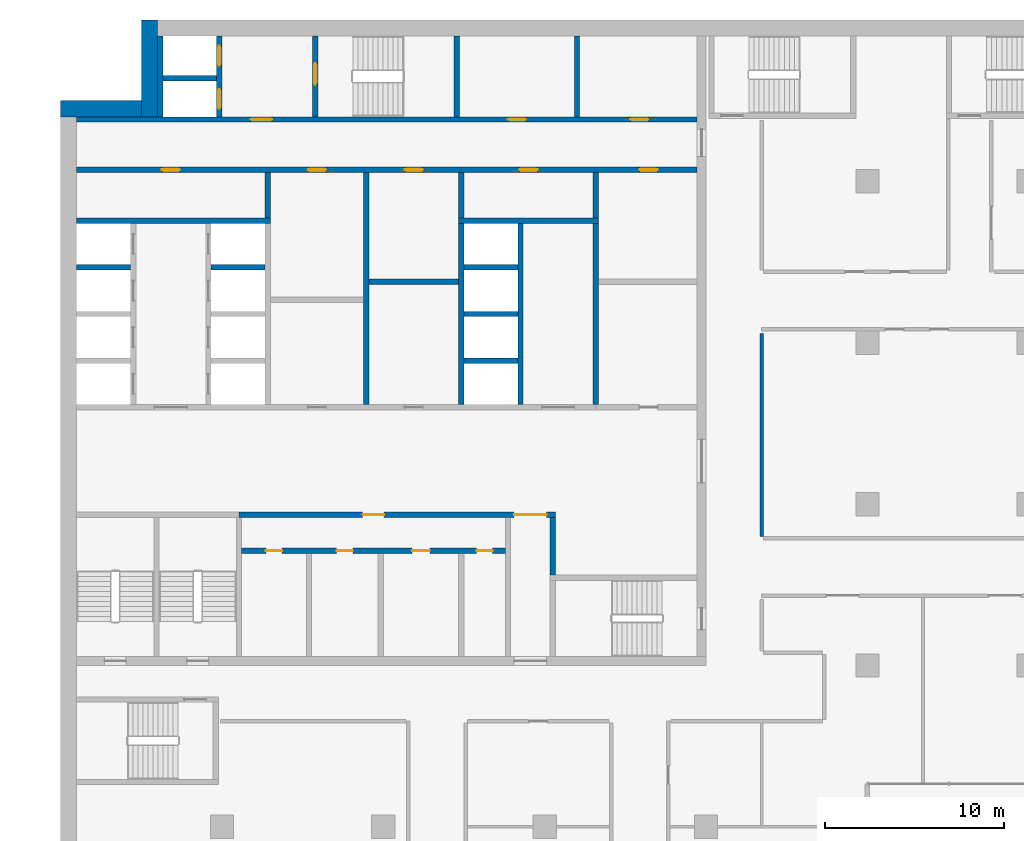
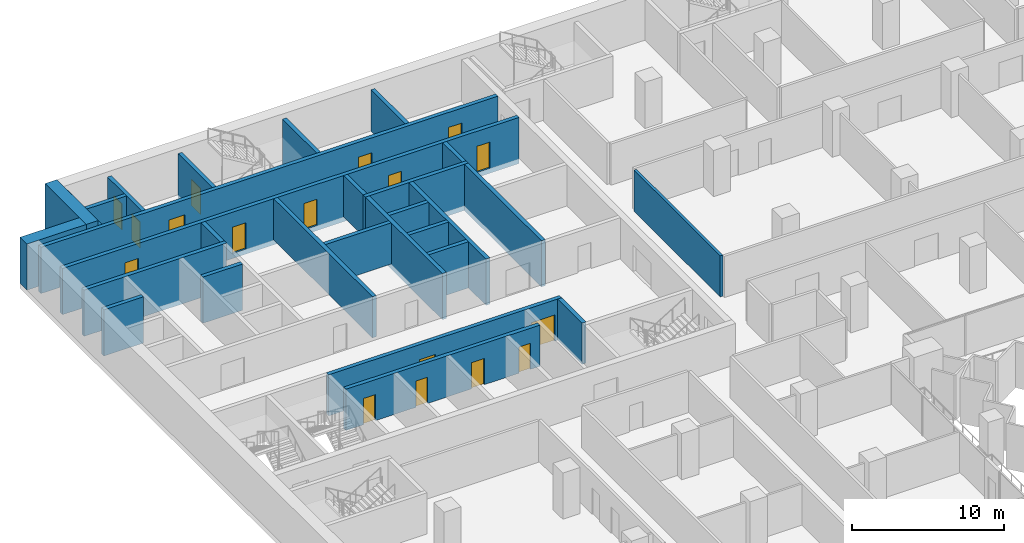
# One storey, part 13 of 22: 29 walls, 17 doors, 17 openings.
"""IFC4 building model written with IfcOpenShell, lengths in metres."""

from ifc_helpers import new_model, si_unit, direction, frame, frame_2d, origin, place, context, subcontext, project, spatial, rectangle, extrude, material, layer, layer_set, type_object, element, fill, save


model = new_model("IFC4")

# Units and contexts
model_context = context("Model", 3, precision=1e-05, world=origin(), true_north=direction((0.0, 1.0)))
body_context = subcontext(model_context, "Body", "Model", "MODEL_VIEW")
ifc_project = project(units=[si_unit("LENGTHUNIT", "METRE"), si_unit("AREAUNIT", "SQUARE_METRE"), si_unit("VOLUMEUNIT", "CUBIC_METRE"), si_unit("PLANEANGLEUNIT", "RADIAN"), si_unit("MASSUNIT", "GRAM", prefix="KILO")], contexts=[model_context])

# Site, building, storey
site_placement = place(None, origin())
site = spatial("IfcSite", under=ifc_project, at=site_placement, CompositionType="ELEMENT")
building_placement = place(site_placement, origin())
building = spatial("IfcBuilding", under=site, at=building_placement, Name="Hunhe Ridgeline Campus", CompositionType="ELEMENT")
storey_placement = place(building_placement, frame((0.0, 0.0, 84.800048828125)))
storey = spatial("IfcBuildingStorey", under=building, at=storey_placement, Name="L20", CompositionType="ELEMENT", Elevation=84.800048828125)

# Wall, openings, doors
ifc_material_1 = material(Name="Masonry concrete blockwork", Category="masonry")
ifc_layer_1 = layer(ifc_material_1, 0.300048828125)
ifc_layer_set_1 = layer_set([ifc_layer_1], Name="Core room partition 300 concrete block")
wall_type_1 = type_object("IfcWallType", Name="Core room partition 300 concrete block", PredefinedType="PARTITIONING", material=ifc_layer_set_1)
wall_1_placement = place(storey_placement, frame((10.10009765625, 69.39990234375, 0.0), z_axis=(0.0, 0.0, 1.0), x_axis=(1.0, 0.0, 0.0)))
wall_1 = element("IfcWall", 1, at=wall_1_placement, inside=storey, type_object=wall_type_1, Name="L20 core partition 9", PredefinedType="PARTITIONING", context=body_context, shape_type="SweptSolid", body=[
    extrude(rectangle(XDim=14.699951171875, YDim=0.300048828125, at=frame_2d((7.35009765625, 0.0))), origin(), (0.0, 0.0, 1.0), 3.300048828125),
])
opening_1_placement = place(wall_1_placement, frame((1.35009765625, 0.0, 0.0)))
opening_1 = element("IfcOpeningElement", 2, at=opening_1_placement, cuts=wall_1, Name="Opening CD8", PredefinedType="OPENING", context=body_context, shape_type="SweptSolid", body=[
    extrude(rectangle(XDim=0.89990234375, YDim=2.10009765625, at=frame_2d((0.449951171875, 1.050048828125))), frame((0.0, 0.14990234375, 0.0), z_axis=(0.0, -1.0, 0.0), x_axis=(1.0, 0.0, 0.0)), (0.0, 0.0, 1.0), 0.300048828125),
])
opening_2_placement = place(wall_1_placement, frame((5.300048828125, 0.0, 0.0)))
opening_2 = element("IfcOpeningElement", 3, at=opening_2_placement, cuts=wall_1, Name="Opening CD9", PredefinedType="OPENING", context=body_context, shape_type="SweptSolid", body=[
    extrude(rectangle(XDim=0.89990234375, YDim=2.10009765625, at=frame_2d((0.449951171875, 1.050048828125))), frame((0.0, 0.14990234375, 0.0), z_axis=(0.0, -1.0, 0.0), x_axis=(1.0, 0.0, 0.0)), (0.0, 0.0, 1.0), 0.300048828125),
])
opening_3_placement = place(wall_1_placement, frame((9.5, 0.0, 0.0)))
opening_3 = element("IfcOpeningElement", 4, at=opening_3_placement, cuts=wall_1, Name="Opening CD10", PredefinedType="OPENING", context=body_context, shape_type="SweptSolid", body=[
    extrude(rectangle(XDim=1.0, YDim=2.10009765625, at=frame_2d((0.5, 1.050048828125))), frame((0.0, 0.14990234375, 0.0), z_axis=(0.0, -1.0, 0.0), x_axis=(1.0, 0.0, 0.0)), (0.0, 0.0, 1.0), 0.300048828125),
])
opening_4_placement = place(wall_1_placement, frame((13.10009765625, 0.0, 0.0)))
opening_4 = element("IfcOpeningElement", 5, at=opening_4_placement, cuts=wall_1, Name="Opening CD11", PredefinedType="OPENING", context=body_context, shape_type="SweptSolid", body=[
    extrude(rectangle(XDim=0.89990234375, YDim=2.10009765625, at=frame_2d((0.449951171875, 1.050048828125))), frame((0.0, 0.14990234375, 0.0), z_axis=(0.0, -1.0, 0.0), x_axis=(1.0, 0.0, 0.0)), (0.0, 0.0, 1.0), 0.300048828125),
])
ifc_material_2 = material(Name="Solid core timber door leaf", Category="wood")
door_type_1 = type_object("IfcDoorType", Name="Timber door 1000x2100", OperationType="SINGLE_SWING_LEFT", PredefinedType="DOOR", material=ifc_material_2)
door_1_placement = place(opening_3_placement, frame((1.0, 0.0, 0.0), z_axis=(0.0, 0.0, 1.0), x_axis=(-1.0, 0.0, 0.0)))
door_1 = element("IfcDoor", 6, at=door_1_placement, inside=storey, type_object=door_type_1, Name="L20 door WC3", OperationType="SINGLE_SWING_RIGHT", OverallHeight=2.10009765625, OverallWidth=1.0, PredefinedType="DOOR", context=body_context, shape_type="SweptSolid", body=[
    extrude(rectangle(XDim=1.0, YDim=2.10009765625, at=frame_2d((0.5, 1.050048828125))), frame((0.0, 0.02490234375, 0.0), z_axis=(0.0, -1.0, 0.0), x_axis=(1.0, 0.0, 0.0)), (0.0, 0.0, 1.0), 0.050048828125),
])
fill(opening_3, door_1)
door_type_2 = type_object("IfcDoorType", Name="Timber door 900x2100", OperationType="SINGLE_SWING_LEFT", PredefinedType="DOOR", material=ifc_material_2)
door_2_placement = place(opening_1_placement, frame((0.89990234375, 0.0, 0.0), z_axis=(0.0, 0.0, 1.0), x_axis=(-1.0, 0.0, 0.0)))
door_2 = element("IfcDoor", 7, at=door_2_placement, inside=storey, type_object=door_type_2, Name="L20 door WC1", OperationType="SINGLE_SWING_RIGHT", OverallHeight=2.10009765625, OverallWidth=0.89990234375, PredefinedType="DOOR", context=body_context, shape_type="SweptSolid", body=[
    extrude(rectangle(XDim=0.89990234375, YDim=2.10009765625, at=frame_2d((0.449951171875, 1.050048828125))), frame((0.0, 0.02490234375, 0.0), z_axis=(0.0, -1.0, 0.0), x_axis=(1.0, 0.0, 0.0)), (0.0, 0.0, 1.0), 0.050048828125),
])
fill(opening_1, door_2)
door_3_placement = place(opening_2_placement, frame((0.89990234375, 0.0, 0.0), z_axis=(0.0, 0.0, 1.0), x_axis=(-1.0, 0.0, 0.0)))
door_3 = element("IfcDoor", 8, at=door_3_placement, inside=storey, type_object=door_type_2, Name="L20 door WC2", OperationType="SINGLE_SWING_LEFT", OverallHeight=2.10009765625, OverallWidth=0.89990234375, PredefinedType="DOOR", context=body_context, shape_type="SweptSolid", body=[
    extrude(rectangle(XDim=0.89990234375, YDim=2.10009765625, at=frame_2d((0.449951171875, 1.050048828125))), frame((0.0, 0.02490234375, 0.0), z_axis=(0.0, -1.0, 0.0), x_axis=(1.0, 0.0, 0.0)), (0.0, 0.0, 1.0), 0.050048828125),
])
fill(opening_2, door_3)
door_4_placement = place(opening_4_placement, frame((0.89990234375, 0.0, 0.0), z_axis=(0.0, 0.0, 1.0), x_axis=(-1.0, 0.0, 0.0)))
door_4 = element("IfcDoor", 9, at=door_4_placement, inside=storey, type_object=door_type_2, Name="L20 door WC4", OperationType="SINGLE_SWING_LEFT", OverallHeight=2.10009765625, OverallWidth=0.89990234375, PredefinedType="DOOR", context=body_context, shape_type="SweptSolid", body=[
    extrude(rectangle(XDim=0.89990234375, YDim=2.10009765625, at=frame_2d((0.449951171875, 1.050048828125))), frame((0.0, 0.02490234375, 0.0), z_axis=(0.0, -1.0, 0.0), x_axis=(1.0, 0.0, 0.0)), (0.0, 0.0, 1.0), 0.050048828125),
])
fill(opening_4, door_4)

wall_2_placement = place(storey_placement, frame((9.949951171875, 71.39990234375, 0.0), z_axis=(0.0, 0.0, 1.0), x_axis=(1.0, 0.0, 0.0)))
wall_2 = element("IfcWall", 10, at=wall_2_placement, inside=storey, type_object=wall_type_1, Name="L20 core partition 11", PredefinedType="PARTITIONING", context=body_context, shape_type="SweptSolid", body=[
    extrude(rectangle(XDim=17.650146484375, YDim=0.300048828125, at=frame_2d((8.8251953125, 0.0))), origin(), (0.0, 0.0, 1.0), 3.300048828125),
])
opening_5_placement = place(wall_2_placement, frame((15.35009765625, 0.0, 0.0)))
opening_5 = element("IfcOpeningElement", 11, at=opening_5_placement, cuts=wall_2, Name="Opening CD7", PredefinedType="OPENING", context=body_context, shape_type="SweptSolid", body=[
    extrude(rectangle(XDim=1.800048828125, YDim=2.10009765625, at=frame_2d((0.89990234375, 1.050048828125))), frame((0.0, 0.14990234375, 0.0), z_axis=(0.0, -1.0, 0.0), x_axis=(1.0, 0.0, 0.0)), (0.0, 0.0, 1.0), 0.300048828125),
])
opening_6_placement = place(wall_2_placement, frame((6.89990234375, 0.0, 0.0)))
opening_6 = element("IfcOpeningElement", 12, at=opening_6_placement, cuts=wall_2, Name="Opening CD37", PredefinedType="OPENING", context=body_context, shape_type="SweptSolid", body=[
    extrude(rectangle(XDim=1.199951171875, YDim=2.10009765625, at=frame_2d((0.60009765625, 1.050048828125))), frame((0.0, 0.14990234375, 0.0), z_axis=(0.0, -1.0, 0.0), x_axis=(1.0, 0.0, 0.0)), (0.0, 0.0, 1.0), 0.300048828125),
])
ifc_material_3 = material(Name="Anodised aluminium and glass", Category="aluminium")
door_type_3 = type_object("IfcDoorType", Name="Glazed double door 1800x2100", OperationType="DOUBLE_DOOR_SINGLE_SWING", PredefinedType="DOOR", material=ifc_material_3)
door_5_placement = place(opening_5_placement, origin())
door_5 = element("IfcDoor", 13, at=door_5_placement, inside=storey, type_object=door_type_3, Name="L20 door VEST-HALL", OperationType="DOUBLE_DOOR_SINGLE_SWING", OverallHeight=2.10009765625, OverallWidth=1.800048828125, PredefinedType="DOOR", context=body_context, shape_type="SweptSolid", body=[
    extrude(rectangle(XDim=1.800048828125, YDim=2.10009765625, at=frame_2d((0.89990234375, 1.050048828125))), frame((0.0, 0.02490234375, 0.0), z_axis=(0.0, -1.0, 0.0), x_axis=(1.0, 0.0, 0.0)), (0.0, 0.0, 1.0), 0.050048828125),
])
fill(opening_5, door_5)
door_type_4 = type_object("IfcDoorType", Name="Timber door 1200x2100", OperationType="SINGLE_SWING_LEFT", PredefinedType="DOOR", material=ifc_material_2)
door_6_placement = place(opening_6_placement, origin())
door_6 = element("IfcDoor", 14, at=door_6_placement, inside=storey, type_object=door_type_4, Name="L20 door WCL1-HALL", OperationType="SINGLE_SWING_LEFT", OverallHeight=2.10009765625, OverallWidth=1.199951171875, PredefinedType="DOOR", context=body_context, shape_type="SweptSolid", body=[
    extrude(rectangle(XDim=1.199951171875, YDim=2.10009765625, at=frame_2d((0.60009765625, 1.050048828125))), frame((0.0, 0.02490234375, 0.0), z_axis=(0.0, -1.0, 0.0), x_axis=(1.0, 0.0, 0.0)), (0.0, 0.0, 1.0), 0.050048828125),
])
fill(opening_6, door_6)

# Walls
wall_3_placement = place(storey_placement, frame((17.199951171875, 84.39990234375, 0.0), z_axis=(0.0, 0.0, 1.0), x_axis=(1.0, 0.0, 0.0)))
element("IfcWall", 15, at=wall_3_placement, inside=storey, type_object=wall_type_1, Name="L20 core partition 21", PredefinedType="PARTITIONING", context=body_context, shape_type="SweptSolid", body=[
    extrude(rectangle(XDim=5.0, YDim=0.300048828125, at=frame_2d((2.5, 0.0))), origin(), (0.0, 0.0, 1.0), 3.300048828125),
])
wall_4_placement = place(storey_placement, frame((11.550048828125, 87.949951171875, 0.0), z_axis=(0.0, 0.0, 1.0), x_axis=(0.0, 1.0, 0.0)))
element("IfcWall", 16, at=wall_4_placement, inside=storey, type_object=wall_type_1, Name="L20 core partition 43", PredefinedType="PARTITIONING", context=body_context, shape_type="SweptSolid", body=[
    extrude(rectangle(XDim=2.550048828125, YDim=0.300048828125, at=frame_2d((1.27490234375, 0.0))), origin(), (0.0, 0.0, 1.0), 3.300048828125),
])
wall_5_placement = place(storey_placement, frame((17.050048828125, 77.550048828125, 0.0), z_axis=(0.0, 0.0, 1.0), x_axis=(0.0, 1.0, 0.0)))
element("IfcWall", 17, at=wall_5_placement, inside=storey, type_object=wall_type_1, Name="L20 core partition 46", PredefinedType="PARTITIONING", context=body_context, shape_type="SweptSolid", body=[
    extrude(rectangle(XDim=12.949951171875, YDim=0.300048828125, at=frame_2d((6.47509765625, 0.0))), origin(), (0.0, 0.0, 1.0), 3.300048828125),
])
wall_6_placement = place(storey_placement, frame((22.35009765625, 87.949951171875, 0.0), z_axis=(0.0, 0.0, 1.0), x_axis=(0.0, 1.0, 0.0)))
element("IfcWall", 18, at=wall_6_placement, inside=storey, type_object=wall_type_1, Name="L20 core partition 52", PredefinedType="PARTITIONING", context=body_context, shape_type="SweptSolid", body=[
    extrude(rectangle(XDim=2.550048828125, YDim=0.300048828125, at=frame_2d((1.27490234375, 0.0))), origin(), (0.0, 0.0, 1.0), 3.300048828125),
])
wall_7_placement = place(storey_placement, frame((27.449951171875, 68.050048828125, 0.0), z_axis=(0.0, 0.0, 1.0), x_axis=(0.0, 1.0, 0.0)))
element("IfcWall", 19, at=wall_7_placement, inside=storey, type_object=wall_type_1, Name="L20 core partition 57", PredefinedType="PARTITIONING", context=body_context, shape_type="SweptSolid", body=[
    extrude(rectangle(XDim=3.199951171875, YDim=0.300048828125, at=frame_2d((1.60009765625, 0.0))), origin(), (0.0, 0.0, 1.0), 3.300048828125),
])
wall_8_placement = place(storey_placement, frame((28.800048828125, 93.60009765625, 0.0), z_axis=(0.0, 0.0, 1.0), x_axis=(0.0, 1.0, 0.0)))
element("IfcWall", 20, at=wall_8_placement, inside=storey, type_object=wall_type_1, Name="L20 core partition 58", PredefinedType="PARTITIONING", context=body_context, shape_type="SweptSolid", body=[
    extrude(rectangle(XDim=4.5, YDim=0.300048828125, at=frame_2d((2.25, 0.0))), origin(), (0.0, 0.0, 1.0), 3.300048828125),
])
wall_9_placement = place(storey_placement, frame((29.85009765625, 87.949951171875, 0.0), z_axis=(0.0, 0.0, 1.0), x_axis=(0.0, 1.0, 0.0)))
element("IfcWall", 21, at=wall_9_placement, inside=storey, type_object=wall_type_1, Name="L20 core partition 60", PredefinedType="PARTITIONING", context=body_context, shape_type="SweptSolid", body=[
    extrude(rectangle(XDim=2.550048828125, YDim=0.300048828125, at=frame_2d((1.27490234375, 0.0))), origin(), (0.0, 0.0, 1.0), 3.300048828125),
])
ifc_material_4 = material(Name="Gypsum board partition")
ifc_layer_2 = layer(ifc_material_4, 0.199951171875)
ifc_layer_set_2 = layer_set([ifc_layer_2], Name="Corridor partition 200 gypsum board on steel studs")
wall_type_2 = type_object("IfcWallType", Name="Corridor partition 200 gypsum board on steel studs", PredefinedType="PARTITIONING", material=ifc_layer_set_2)
wall_10_placement = place(storey_placement, frame((39.10009765625, 81.517578125, 0.0), z_axis=(0.0, 0.0, 1.0), x_axis=(0.0, -1.0, 0.0)))
element("IfcWall", 22, at=wall_10_placement, inside=storey, type_object=wall_type_2, Name="F-L20-wall-057", PredefinedType="PARTITIONING", context=body_context, shape_type="SweptSolid", body=[
    extrude(rectangle(XDim=11.317626953125, YDim=0.199951171875, at=frame_2d((5.65869140625, 0.0))), origin(), (0.0, 0.0, 1.0), 3.300048828125),
])

# Wall, openings, doors
ifc_material_5 = material(Name="Concrete C80", Category="concrete")
ifc_layer_3 = layer(ifc_material_5, 0.300048828125)
ifc_layer_set_3 = layer_set([ifc_layer_3], Name="Lobby wall 300 reinforced concrete C80")
wall_type_3 = type_object("IfcWallType", Name="Lobby wall 300 reinforced concrete C80", PredefinedType="SOLIDWALL", material=ifc_layer_set_3)
wall_11_placement = place(storey_placement, frame((0.89990234375, 90.64990234375, -0.400146484375), z_axis=(0.0, 0.0, 1.0), x_axis=(1.0, 0.0, 0.0)))
wall_11 = element("IfcWall", 23, at=wall_11_placement, inside=storey, type_object=wall_type_3, Name="L20 core wall 28", PredefinedType="SOLIDWALL", context=body_context, shape_type="SweptSolid", body=[
    extrude(rectangle(XDim=34.60009765625, YDim=0.300048828125, at=frame_2d((17.300048828125, 0.0))), origin(), (0.0, 0.0, 1.0), 3.7001953125),
])
opening_7_placement = place(wall_11_placement, frame((4.75, 0.0, 0.39990234375)))
opening_7 = element("IfcOpeningElement", 24, at=opening_7_placement, cuts=wall_11, Name="Opening CD26", PredefinedType="OPENING", context=body_context, shape_type="SweptSolid", body=[
    extrude(rectangle(XDim=1.0, YDim=2.10009765625, at=frame_2d((0.5, 1.050048828125))), frame((0.0, 0.14990234375, 0.0), z_axis=(0.0, -1.0, 0.0), x_axis=(1.0, 0.0, 0.0)), (0.0, 0.0, 1.0), 0.300048828125),
])
opening_8_placement = place(wall_11_placement, frame((24.699951171875, 0.0, 0.39990234375)))
opening_8 = element("IfcOpeningElement", 25, at=opening_8_placement, cuts=wall_11, Name="Opening CD27", PredefinedType="OPENING", context=body_context, shape_type="SweptSolid", body=[
    extrude(rectangle(XDim=1.0, YDim=2.10009765625, at=frame_2d((0.5, 1.050048828125))), frame((0.0, 0.14990234375, 0.0), z_axis=(0.0, -1.0, 0.0), x_axis=(1.0, 0.0, 0.0)), (0.0, 0.0, 1.0), 0.300048828125),
])
opening_9_placement = place(wall_11_placement, frame((12.89990234375, 0.0, 0.39990234375)))
opening_9 = element("IfcOpeningElement", 26, at=opening_9_placement, cuts=wall_11, Name="Opening CD29", PredefinedType="OPENING", context=body_context, shape_type="SweptSolid", body=[
    extrude(rectangle(XDim=1.0, YDim=2.10009765625, at=frame_2d((0.5, 1.050048828125))), frame((0.0, 0.14990234375, 0.0), z_axis=(0.0, -1.0, 0.0), x_axis=(1.0, 0.0, 0.0)), (0.0, 0.0, 1.0), 0.300048828125),
])
opening_10_placement = place(wall_11_placement, frame((18.300048828125, 0.0, 0.39990234375)))
opening_10 = element("IfcOpeningElement", 27, at=opening_10_placement, cuts=wall_11, Name="Opening CD31", PredefinedType="OPENING", context=body_context, shape_type="SweptSolid", body=[
    extrude(rectangle(XDim=1.0, YDim=2.10009765625, at=frame_2d((0.5, 1.050048828125))), frame((0.0, 0.14990234375, 0.0), z_axis=(0.0, -1.0, 0.0), x_axis=(1.0, 0.0, 0.0)), (0.0, 0.0, 1.0), 0.300048828125),
])
opening_11_placement = place(wall_11_placement, frame((31.39990234375, 0.0, 0.39990234375)))
opening_11 = element("IfcOpeningElement", 28, at=opening_11_placement, cuts=wall_11, Name="Opening CD33", PredefinedType="OPENING", context=body_context, shape_type="SweptSolid", body=[
    extrude(rectangle(XDim=1.0, YDim=2.10009765625, at=frame_2d((0.5, 1.050048828125))), frame((0.0, 0.14990234375, 0.0), z_axis=(0.0, -1.0, 0.0), x_axis=(1.0, 0.0, 0.0)), (0.0, 0.0, 1.0), 0.300048828125),
])
door_7_placement = place(opening_7_placement, frame((1.0, 0.0, 0.0), z_axis=(0.0, 0.0, 1.0), x_axis=(-1.0, 0.0, 0.0)))
door_7 = element("IfcDoor", 29, at=door_7_placement, inside=storey, type_object=door_type_1, Name="L20 door NR-0", OperationType="SINGLE_SWING_RIGHT", OverallHeight=2.10009765625, OverallWidth=1.0, PredefinedType="DOOR", context=body_context, shape_type="SweptSolid", body=[
    extrude(rectangle(XDim=1.0, YDim=2.10009765625, at=frame_2d((0.5, 1.050048828125))), frame((0.0, 0.02490234375, 0.0), z_axis=(0.0, -1.0, 0.0), x_axis=(1.0, 0.0, 0.0)), (0.0, 0.0, 1.0), 0.050048828125),
])
fill(opening_7, door_7)
door_8_placement = place(opening_8_placement, frame((1.0, 0.0, 0.0), z_axis=(0.0, 0.0, 1.0), x_axis=(-1.0, 0.0, 0.0)))
door_8 = element("IfcDoor", 30, at=door_8_placement, inside=storey, type_object=door_type_1, Name="L20 door NR-1", OperationType="SINGLE_SWING_LEFT", OverallHeight=2.10009765625, OverallWidth=1.0, PredefinedType="DOOR", context=body_context, shape_type="SweptSolid", body=[
    extrude(rectangle(XDim=1.0, YDim=2.10009765625, at=frame_2d((0.5, 1.050048828125))), frame((0.0, 0.02490234375, 0.0), z_axis=(0.0, -1.0, 0.0), x_axis=(1.0, 0.0, 0.0)), (0.0, 0.0, 1.0), 0.050048828125),
])
fill(opening_8, door_8)
door_9_placement = place(opening_9_placement, frame((1.0, 0.0, 0.0), z_axis=(0.0, 0.0, 1.0), x_axis=(-1.0, 0.0, 0.0)))
door_9 = element("IfcDoor", 31, at=door_9_placement, inside=storey, type_object=door_type_1, Name="L20 door VD-HR1", OperationType="SINGLE_SWING_LEFT", OverallHeight=2.10009765625, OverallWidth=1.0, PredefinedType="DOOR", context=body_context, shape_type="SweptSolid", body=[
    extrude(rectangle(XDim=1.0, YDim=2.10009765625, at=frame_2d((0.5, 1.050048828125))), frame((0.0, 0.02490234375, 0.0), z_axis=(0.0, -1.0, 0.0), x_axis=(1.0, 0.0, 0.0)), (0.0, 0.0, 1.0), 0.050048828125),
])
fill(opening_9, door_9)
door_10_placement = place(opening_10_placement, frame((1.0, 0.0, 0.0), z_axis=(0.0, 0.0, 1.0), x_axis=(-1.0, 0.0, 0.0)))
door_10 = element("IfcDoor", 32, at=door_10_placement, inside=storey, type_object=door_type_1, Name="L20 door VD-HR3", OperationType="SINGLE_SWING_LEFT", OverallHeight=2.10009765625, OverallWidth=1.0, PredefinedType="DOOR", context=body_context, shape_type="SweptSolid", body=[
    extrude(rectangle(XDim=1.0, YDim=2.10009765625, at=frame_2d((0.5, 1.050048828125))), frame((0.0, 0.02490234375, 0.0), z_axis=(0.0, -1.0, 0.0), x_axis=(1.0, 0.0, 0.0)), (0.0, 0.0, 1.0), 0.050048828125),
])
fill(opening_10, door_10)
door_11_placement = place(opening_11_placement, frame((1.0, 0.0, 0.0), z_axis=(0.0, 0.0, 1.0), x_axis=(-1.0, 0.0, 0.0)))
door_11 = element("IfcDoor", 33, at=door_11_placement, inside=storey, type_object=door_type_1, Name="L20 door ES1", OperationType="SINGLE_SWING_RIGHT", OverallHeight=2.10009765625, OverallWidth=1.0, PredefinedType="DOOR", context=body_context, shape_type="SweptSolid", body=[
    extrude(rectangle(XDim=1.0, YDim=2.10009765625, at=frame_2d((0.5, 1.050048828125))), frame((0.0, 0.02490234375, 0.0), z_axis=(0.0, -1.0, 0.0), x_axis=(1.0, 0.0, 0.0)), (0.0, 0.0, 1.0), 0.050048828125),
])
fill(opening_11, door_11)

# Walls
wall_12_placement = place(storey_placement, frame((29.85009765625, 77.550048828125, -0.400146484375), z_axis=(0.0, 0.0, 1.0), x_axis=(0.0, 1.0, 0.0)))
element("IfcWall", 34, at=wall_12_placement, inside=storey, type_object=wall_type_3, Name="L20 core wall 59", PredefinedType="SOLIDWALL", context=body_context, shape_type="SweptSolid", body=[
    extrude(rectangle(XDim=10.099853515625, YDim=0.300048828125, at=frame_2d((5.0498046875, 0.0))), origin(), (0.0, 0.0, 1.0), 3.7001953125),
])
ifc_layer_4 = layer(ifc_material_5, 0.300048828125)
ifc_layer_set_4 = layer_set([ifc_layer_4], Name="Shaft wall 300 reinforced concrete C80")
wall_type_4 = type_object("IfcWallType", Name="Shaft wall 300 reinforced concrete C80", PredefinedType="SOLIDWALL", material=ifc_layer_set_4)
for number, where, z_axis, x_axis, name in (
    (35, (22.5, 80.0, -0.400146484375), (0.0, 0.0, 1.0), (1.0, 0.0, 0.0), "L20 core wall 16"),
    (36, (22.5, 82.60009765625, -0.400146484375), (0.0, 0.0, 1.0), (1.0, 0.0, 0.0), "L20 core wall 19"),
    (37, (0.89990234375, 85.199951171875, -0.400146484375), (0.0, 0.0, 1.0), (1.0, 0.0, 0.0), "L20 core wall 23"),
    (38, (8.39990234375, 85.199951171875, -0.400146484375), (0.0, 0.0, 1.0), (1.0, 0.0, 0.0), "L20 core wall 24"),
    (39, (22.5, 85.199951171875, -0.400146484375), (0.0, 0.0, 1.0), (1.0, 0.0, 0.0), "L20 core wall 25"),
):
    element("IfcWall", number, at=place(storey_placement, frame(where, z_axis=z_axis, x_axis=x_axis)), inside=storey, type_object=wall_type_4, Name=name, PredefinedType="SOLIDWALL", context=body_context, shape_type="SweptSolid", body=[
        extrude(rectangle(XDim=3.0, YDim=0.300048828125, at=frame_2d((1.5, 0.0))), origin(), (0.0, 0.0, 1.0), 3.7001953125),
    ])
wall_13_placement = place(storey_placement, frame((0.89990234375, 87.800048828125, -0.400146484375), z_axis=(0.0, 0.0, 1.0), x_axis=(1.0, 0.0, 0.0)))
element("IfcWall", 40, at=wall_13_placement, inside=storey, type_object=wall_type_4, Name="L20 core wall 26", PredefinedType="SOLIDWALL", context=body_context, shape_type="SweptSolid", body=[
    extrude(rectangle(XDim=10.800048828125, YDim=0.300048828125, at=frame_2d((5.39990234375, 0.0))), origin(), (0.0, 0.0, 1.0), 3.7001953125),
])
wall_14_placement = place(storey_placement, frame((22.199951171875, 87.800048828125, -0.400146484375), z_axis=(0.0, 0.0, 1.0), x_axis=(1.0, 0.0, 0.0)))
element("IfcWall", 41, at=wall_14_placement, inside=storey, type_object=wall_type_4, Name="L20 core wall 27", PredefinedType="SOLIDWALL", context=body_context, shape_type="SweptSolid", body=[
    extrude(rectangle(XDim=7.800048828125, YDim=0.300048828125, at=frame_2d((3.89990234375, 0.0))), origin(), (0.0, 0.0, 1.0), 3.7001953125),
])

# Wall, openings, doors
wall_15_placement = place(storey_placement, frame((0.89990234375, 93.449951171875, -0.400146484375), z_axis=(0.0, 0.0, 1.0), x_axis=(1.0, 0.0, 0.0)))
wall_15 = element("IfcWall", 42, at=wall_15_placement, inside=storey, type_object=wall_type_4, Name="L20 core wall 29", PredefinedType="SOLIDWALL", context=body_context, shape_type="SweptSolid", body=[
    extrude(rectangle(XDim=34.60009765625, YDim=0.300048828125, at=frame_2d((17.300048828125, 0.0))), origin(), (0.0, 0.0, 1.0), 3.7001953125),
])
opening_12_placement = place(wall_15_placement, frame((9.699951171875, 0.0, 0.39990234375)))
opening_12 = element("IfcOpeningElement", 43, at=opening_12_placement, cuts=wall_15, Name="Opening CD3", PredefinedType="OPENING", context=body_context, shape_type="SweptSolid", body=[
    extrude(rectangle(XDim=1.199951171875, YDim=2.10009765625, at=frame_2d((0.60009765625, 1.050048828125))), frame((0.0, 0.14990234375, 0.0), z_axis=(0.0, -1.0, 0.0), x_axis=(1.0, 0.0, 0.0)), (0.0, 0.0, 1.0), 0.300048828125),
])
opening_13_placement = place(wall_15_placement, frame((24.050048828125, 0.0, 0.39990234375)))
opening_13 = element("IfcOpeningElement", 44, at=opening_13_placement, cuts=wall_15, Name="Opening CD34", PredefinedType="OPENING", context=body_context, shape_type="SweptSolid", body=[
    extrude(rectangle(XDim=1.0, YDim=2.10009765625, at=frame_2d((0.5, 1.050048828125))), frame((0.0, 0.14990234375, 0.0), z_axis=(0.0, -1.0, 0.0), x_axis=(1.0, 0.0, 0.0)), (0.0, 0.0, 1.0), 0.300048828125),
])
opening_14_placement = place(wall_15_placement, frame((30.875, 0.0, 0.39990234375)))
opening_14 = element("IfcOpeningElement", 45, at=opening_14_placement, cuts=wall_15, Name="Opening CD35", PredefinedType="OPENING", context=body_context, shape_type="SweptSolid", body=[
    extrude(rectangle(XDim=1.0, YDim=2.10009765625, at=frame_2d((0.5, 1.050048828125))), frame((0.0, 0.14990234375, 0.0), z_axis=(0.0, -1.0, 0.0), x_axis=(1.0, 0.0, 0.0)), (0.0, 0.0, 1.0), 0.300048828125),
])
ifc_material_6 = material(Name="Hollow metal fire door leaf")
door_type_5 = type_object("IfcDoorType", Name="Lobby door 1200x2100 FD60", OperationType="SINGLE_SWING_LEFT", PredefinedType="DOOR", material=ifc_material_6)
door_12_placement = place(opening_12_placement, frame((1.199951171875, 0.0, 0.0), z_axis=(0.0, 0.0, 1.0), x_axis=(-1.0, 0.0, 0.0)))
door_12 = element("IfcDoor", 46, at=door_12_placement, inside=storey, type_object=door_type_5, Name="L20 door FF-C1", OperationType="SINGLE_SWING_LEFT", OverallHeight=2.10009765625, OverallWidth=1.199951171875, PredefinedType="DOOR", context=body_context, shape_type="SweptSolid", body=[
    extrude(rectangle(XDim=1.199951171875, YDim=2.10009765625, at=frame_2d((0.60009765625, 1.050048828125))), frame((0.0, 0.02490234375, 0.0), z_axis=(0.0, -1.0, 0.0), x_axis=(1.0, 0.0, 0.0)), (0.0, 0.0, 1.0), 0.050048828125),
])
fill(opening_12, door_12)
door_13_placement = place(opening_13_placement, origin())
door_13 = element("IfcDoor", 47, at=door_13_placement, inside=storey, type_object=door_type_1, Name="L20 door NB0", OperationType="SINGLE_SWING_RIGHT", OverallHeight=2.10009765625, OverallWidth=1.0, PredefinedType="DOOR", context=body_context, shape_type="SweptSolid", body=[
    extrude(rectangle(XDim=1.0, YDim=2.10009765625, at=frame_2d((0.5, 1.050048828125))), frame((0.0, 0.02490234375, 0.0), z_axis=(0.0, -1.0, 0.0), x_axis=(1.0, 0.0, 0.0)), (0.0, 0.0, 1.0), 0.050048828125),
])
fill(opening_13, door_13)
door_14_placement = place(opening_14_placement, origin())
door_14 = element("IfcDoor", 48, at=door_14_placement, inside=storey, type_object=door_type_1, Name="L20 door NB1", OperationType="SINGLE_SWING_LEFT", OverallHeight=2.10009765625, OverallWidth=1.0, PredefinedType="DOOR", context=body_context, shape_type="SweptSolid", body=[
    extrude(rectangle(XDim=1.0, YDim=2.10009765625, at=frame_2d((0.5, 1.050048828125))), frame((0.0, 0.02490234375, 0.0), z_axis=(0.0, -1.0, 0.0), x_axis=(1.0, 0.0, 0.0)), (0.0, 0.0, 1.0), 0.050048828125),
])
fill(opening_14, door_14)

# Walls
wall_16_placement = place(storey_placement, frame((5.699951171875, 95.75, -0.400146484375), z_axis=(0.0, 0.0, 1.0), x_axis=(1.0, 0.0, 0.0)))
element("IfcWall", 49, at=wall_16_placement, inside=storey, type_object=wall_type_4, Name="L20 core wall 33", PredefinedType="SOLIDWALL", context=body_context, shape_type="SweptSolid", body=[
    extrude(rectangle(XDim=3.0, YDim=0.300048828125, at=frame_2d((1.5, 0.0))), origin(), (0.0, 0.0, 1.0), 3.7001953125),
])
wall_17_placement = place(storey_placement, frame((5.550048828125, 93.60009765625, -0.400146484375), z_axis=(0.0, 0.0, 1.0), x_axis=(0.0, 1.0, 0.0)))
element("IfcWall", 50, at=wall_17_placement, inside=storey, type_object=wall_type_4, Name="L20 core wall 36", PredefinedType="SOLIDWALL", context=body_context, shape_type="SweptSolid", body=[
    extrude(rectangle(XDim=4.5, YDim=0.300048828125, at=frame_2d((2.25, 0.0))), origin(), (0.0, 0.0, 1.0), 3.7001953125),
])

# Wall, openings, doors
wall_18_placement = place(storey_placement, frame((8.85009765625, 93.60009765625, -0.400146484375), z_axis=(0.0, 0.0, 1.0), x_axis=(0.0, 1.0, 0.0)))
wall_18 = element("IfcWall", 51, at=wall_18_placement, inside=storey, type_object=wall_type_4, Name="L20 core wall 40", PredefinedType="SOLIDWALL", context=body_context, shape_type="SweptSolid", body=[
    extrude(rectangle(XDim=4.5, YDim=0.300048828125, at=frame_2d((2.25, 0.0))), origin(), (0.0, 0.0, 1.0), 3.7001953125),
])
opening_15_placement = place(wall_18_placement, frame((0.449951171875, 0.0, 0.39990234375)))
opening_15 = element("IfcOpeningElement", 52, at=opening_15_placement, cuts=wall_18, Name="Opening LD-FF1", PredefinedType="OPENING", context=body_context, shape_type="SweptSolid", body=[
    extrude(rectangle(XDim=1.10009765625, YDim=2.10009765625, at=frame_2d((0.550048828125, 1.050048828125))), frame((0.0, 0.14990234375, 0.0), z_axis=(0.0, -1.0, 0.0), x_axis=(1.0, 0.0, 0.0)), (0.0, 0.0, 1.0), 0.300048828125),
])
opening_16_placement = place(wall_18_placement, frame((2.85009765625, 0.0, 0.39990234375)))
opening_16 = element("IfcOpeningElement", 53, at=opening_16_placement, cuts=wall_18, Name="Opening LD-FF2", PredefinedType="OPENING", context=body_context, shape_type="SweptSolid", body=[
    extrude(rectangle(XDim=1.10009765625, YDim=2.10009765625, at=frame_2d((0.550048828125, 1.050048828125))), frame((0.0, 0.14990234375, 0.0), z_axis=(0.0, -1.0, 0.0), x_axis=(1.0, 0.0, 0.0)), (0.0, 0.0, 1.0), 0.300048828125),
])
ifc_material_7 = material(Name="Stainless steel sliding leaves", Category="steel")
door_type_6 = type_object("IfcDoorType", Name="Landing door 1100x2100 FD120", OperationType="SLIDING_TO_LEFT", PredefinedType="DOOR", material=ifc_material_7)
door_15_placement = place(opening_15_placement, origin())
door_15 = element("IfcDoor", 54, at=door_15_placement, inside=storey, type_object=door_type_6, Name="L20 landing door FF1", OperationType="SLIDING_TO_RIGHT", OverallHeight=2.10009765625, OverallWidth=1.10009765625, PredefinedType="DOOR", context=body_context, shape_type="SweptSolid", body=[
    extrude(rectangle(XDim=1.10009765625, YDim=2.10009765625, at=frame_2d((0.550048828125, 1.050048828125))), frame((0.0, 0.02490234375, 0.0), z_axis=(0.0, -1.0, 0.0), x_axis=(1.0, 0.0, 0.0)), (0.0, 0.0, 1.0), 0.050048828125),
])
fill(opening_15, door_15)
door_16_placement = place(opening_16_placement, origin())
door_16 = element("IfcDoor", 55, at=door_16_placement, inside=storey, type_object=door_type_6, Name="L20 landing door FF2", OperationType="SLIDING_TO_LEFT", OverallHeight=2.10009765625, OverallWidth=1.10009765625, PredefinedType="DOOR", context=body_context, shape_type="SweptSolid", body=[
    extrude(rectangle(XDim=1.10009765625, YDim=2.10009765625, at=frame_2d((0.550048828125, 1.050048828125))), frame((0.0, 0.02490234375, 0.0), z_axis=(0.0, -1.0, 0.0), x_axis=(1.0, 0.0, 0.0)), (0.0, 0.0, 1.0), 0.050048828125),
])
fill(opening_16, door_16)

# Walls
for number, where, z_axis, x_axis, name in (
    (56, (22.35009765625, 77.550048828125, -0.400146484375), (0.0, 0.0, 1.0), (0.0, 1.0, 0.0), "L20 core wall 51"),
    (57, (25.64990234375, 77.550048828125, -0.400146484375), (0.0, 0.0, 1.0), (0.0, 1.0, 0.0), "L20 core wall 55"),
):
    element("IfcWall", number, at=place(storey_placement, frame(where, z_axis=z_axis, x_axis=x_axis)), inside=storey, type_object=wall_type_4, Name=name, PredefinedType="SOLIDWALL", context=body_context, shape_type="SweptSolid", body=[
        extrude(rectangle(XDim=10.099853515625, YDim=0.300048828125, at=frame_2d((5.0498046875, 0.0))), origin(), (0.0, 0.0, 1.0), 3.7001953125),
    ])
ifc_material_8 = material(Name="Concrete C70", Category="concrete")
ifc_layer_5 = layer(ifc_material_8, 0.89990234375)
ifc_layer_set_5 = layer_set([ifc_layer_5], Name="Spine wall 900 Concrete C70")
wall_type_5 = type_object("IfcWallType", Name="Spine wall 900 Concrete C70", PredefinedType="SHEAR", material=ifc_layer_set_5)
for number, where, z_axis, x_axis, name in (
    (58, (4.949951171875, 99.0, 0.0), (0.0, 0.0, 1.0), (0.0, -1.0, 0.0), "Spine wall SW2-5 L20"),
    (59, (5.400146484375, 94.050048828125, 0.0), (0.0, 0.0, 1.0), (-1.0, 0.0, 0.0), "Spine wall SW2-6 L20"),
):
    element("IfcWall", number, at=place(storey_placement, frame(where, z_axis=z_axis, x_axis=x_axis)), inside=storey, type_object=wall_type_5, Name=name, PredefinedType="SHEAR", context=body_context, shape_type="SweptSolid", body=[
        extrude(rectangle(XDim=5.400146484375, YDim=0.89990234375, at=frame_2d((2.7001953125, 0.0))), origin(), (0.0, 0.0, 1.0), 3.699951171875),
    ])

# Wall, opening, door
ifc_layer_6 = layer(ifc_material_5, 0.300048828125)
ifc_layer_set_6 = layer_set([ifc_layer_6], Name="Stair wall 300 reinforced concrete C80")
wall_type_6 = type_object("IfcWallType", Name="Stair wall 300 reinforced concrete C80", PredefinedType="SOLIDWALL", material=ifc_layer_set_6)
wall_19_placement = place(storey_placement, frame((14.199951171875, 93.60009765625, -0.400146484375), z_axis=(0.0, 0.0, 1.0), x_axis=(0.0, 1.0, 0.0)))
wall_19 = element("IfcWall", 60, at=wall_19_placement, inside=storey, type_object=wall_type_6, Name="L20 core wall 45", PredefinedType="SOLIDWALL", context=body_context, shape_type="SweptSolid", body=[
    extrude(rectangle(XDim=4.5, YDim=0.300048828125, at=frame_2d((2.25, 0.0))), origin(), (0.0, 0.0, 1.0), 3.7001953125),
])
opening_17_placement = place(wall_19_placement, frame((1.800048828125, 0.0, 0.39990234375)))
opening_17 = element("IfcOpeningElement", 61, at=opening_17_placement, cuts=wall_19, Name="Opening CD16", PredefinedType="OPENING", context=body_context, shape_type="SweptSolid", body=[
    extrude(rectangle(XDim=1.199951171875, YDim=2.10009765625, at=frame_2d((0.60009765625, 1.050048828125))), frame((0.0, 0.14990234375, 0.0), z_axis=(0.0, -1.0, 0.0), x_axis=(1.0, 0.0, 0.0)), (0.0, 0.0, 1.0), 0.300048828125),
])
door_type_7 = type_object("IfcDoorType", Name="Stair door 1200x2100 FD60", OperationType="SINGLE_SWING_LEFT", PredefinedType="DOOR", material=ifc_material_6)
door_17_placement = place(opening_17_placement, origin())
door_17 = element("IfcDoor", 62, at=door_17_placement, inside=storey, type_object=door_type_7, Name="L20 door S1-FF", OperationType="SINGLE_SWING_LEFT", OverallHeight=2.10009765625, OverallWidth=1.199951171875, PredefinedType="DOOR", context=body_context, shape_type="SweptSolid", body=[
    extrude(rectangle(XDim=1.199951171875, YDim=2.10009765625, at=frame_2d((0.60009765625, 1.050048828125))), frame((0.0, 0.02490234375, 0.0), z_axis=(0.0, -1.0, 0.0), x_axis=(1.0, 0.0, 0.0)), (0.0, 0.0, 1.0), 0.050048828125),
])
fill(opening_17, door_17)

# Wall
wall_20_placement = place(storey_placement, frame((22.10009765625, 93.60009765625, -0.400146484375), z_axis=(0.0, 0.0, 1.0), x_axis=(0.0, 1.0, 0.0)))
element("IfcWall", 63, at=wall_20_placement, inside=storey, type_object=wall_type_6, Name="L20 core wall 49", PredefinedType="SOLIDWALL", context=body_context, shape_type="SweptSolid", body=[
    extrude(rectangle(XDim=4.5, YDim=0.300048828125, at=frame_2d((2.25, 0.0))), origin(), (0.0, 0.0, 1.0), 3.7001953125),
])

save(model, "model.ifc")
